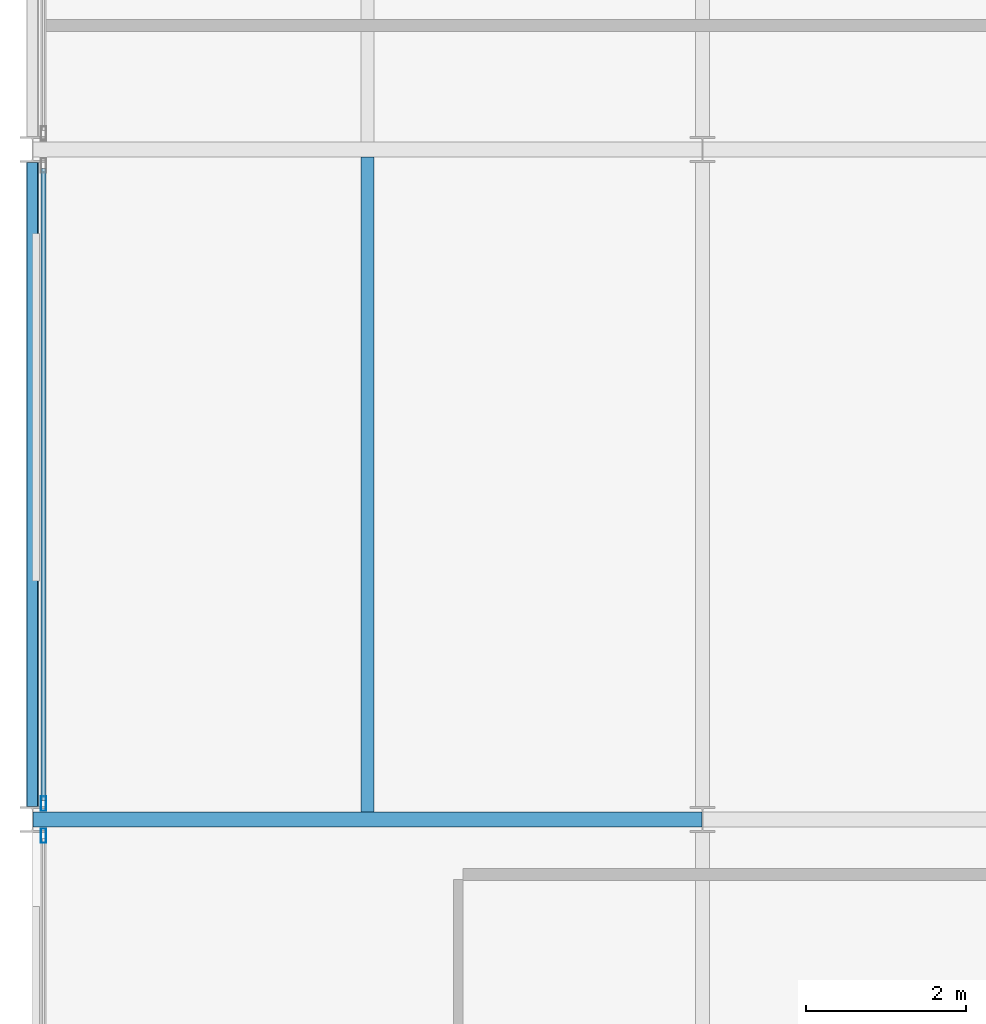
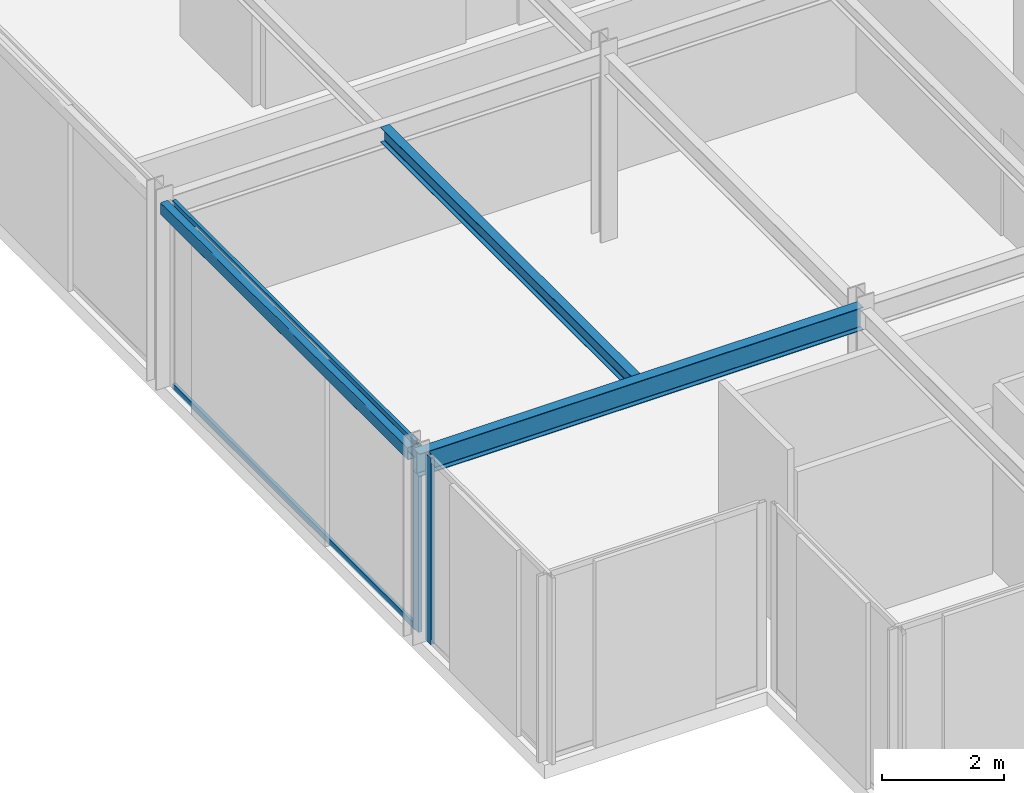
# One storey, part 5 of 26: 4 members, 3 beams, 2 elements without a shape of their own.
"""IFC4 building model written with IfcOpenShell, lengths in metres."""

from ifc_helpers import new_model, si_unit, direction, frame, origin, origin_2d, place, context, subcontext, project, spatial, hollow_rectangle, i_section, extrude, material, layer, layer_set, material_profile, profile_set, type_object, element, aggregate, save


model = new_model("IFC4")

# Units and contexts
model_context = context("Model", 3, precision=1e-05, world=origin(), true_north=direction((0.0, 1.0)))
body_context = subcontext(model_context, "Body", "Model", "MODEL_VIEW")
ifc_project = project(units=[si_unit("LENGTHUNIT", "METRE"), si_unit("AREAUNIT", "SQUARE_METRE"), si_unit("VOLUMEUNIT", "CUBIC_METRE"), si_unit("PLANEANGLEUNIT", "RADIAN"), si_unit("MASSUNIT", "GRAM", prefix="KILO")], contexts=[model_context])

# Site, building, storey
site_placement = place(None, origin())
site = spatial("IfcSite", under=ifc_project, at=site_placement, CompositionType="ELEMENT")
building_placement = place(site_placement, origin())
building = spatial("IfcBuilding", under=site, at=building_placement, Name="Nerrivon Quay Data Exchange", CompositionType="ELEMENT")
storey_placement = place(building_placement, frame((0.0, 0.0, 250.199951171875)))
storey = spatial("IfcBuildingStorey", under=building, at=storey_placement, Name="L59", CompositionType="ELEMENT", Elevation=250.199951171875)

# Beams
ifc_material_1 = material(Name="Steel Grade 350", Category="steel")
ifc_material_profile_1 = material_profile(ifc_material_1, i_section(OverallWidth=0.18994140625, OverallDepth=0.4541015625, WebThickness=0.008544921875, FlangeThickness=0.0126953125, FilletRadius=0.011474609375, at=origin_2d()), Name="460UB67.1")
ifc_profile_set_1 = profile_set([ifc_material_profile_1], Name="Steel Grade 350")
beam_type_1 = type_object("IfcBeamType", Name="BM-G6-460UB67", PredefinedType="BEAM", material=ifc_profile_set_1)
beam_1_placement = place(storey_placement, frame((0.0078125, 8.39990234375, 3.498046875), z_axis=(1.0, 0.0, 0.0), x_axis=(0.0, 1.0, 0.0)))
element("IfcBeam", 1, at=beam_1_placement, inside=storey, type_object=beam_type_1, Name="L59 EW Girder Y=8.4 (0.0..8.4)", PredefinedType="BEAM", context=body_context, shape_type="SweptSolid", body=[
    extrude(i_section(OverallWidth=0.18994140625, OverallDepth=0.4541015625, WebThickness=0.008544921875, FlangeThickness=0.0126953125, FilletRadius=0.011474609375, at=origin_2d()), origin(), (0.0, 0.0, 1.0), 8.38427734375),
])
ifc_material_profile_2 = material_profile(ifc_material_1, i_section(OverallWidth=0.1650390625, OverallDepth=0.303955078125, WebThickness=0.006103515625, FlangeThickness=0.01025390625, FilletRadius=0.011474609375, at=origin_2d()), Name="310UB40.4")
ifc_profile_set_2 = profile_set([ifc_material_profile_2], Name="Steel Grade 350")
beam_type_2 = type_object("IfcBeamType", Name="BM-J6-310UB40", PredefinedType="JOIST", material=ifc_profile_set_2)
beam_2_placement = place(storey_placement, frame((4.199951171875, 8.4951171875, 3.572998046875), z_axis=(0.0, 1.0, 0.0), x_axis=(-1.0, 0.0, 0.0)))
element("IfcBeam", 2, at=beam_2_placement, inside=storey, type_object=beam_type_2, Name="L59 Secondary Joist X=4.2 (8.4..16.8)", PredefinedType="JOIST", context=body_context, shape_type="SweptSolid", body=[
    extrude(i_section(OverallWidth=0.1650390625, OverallDepth=0.303955078125, WebThickness=0.006103515625, FlangeThickness=0.01025390625, FilletRadius=0.011474609375, at=origin_2d()), origin(), (0.0, 0.0, 1.0), 8.2099609375),
])
ifc_material_2 = material(Name="Steel Grade C350L0 (350 MPa)", Category="steel")
ifc_material_profile_3 = material_profile(ifc_material_2, hollow_rectangle(XDim=0.14990234375, YDim=0.25, WallThickness=0.009033203125, InnerFilletRadius=0.013427734375, OuterFilletRadius=0.0224609375, at=origin_2d()), Name="250x150x9.0RHS")
ifc_profile_set_3 = profile_set([ifc_material_profile_3], Name="Steel Grade C350L0 (350 MPa)")
beam_type_3 = type_object("IfcBeamType", Name="BM-SP4-250x150RHS", PredefinedType="SPANDREL", material=ifc_profile_set_3)
beam_3_placement = place(storey_placement, frame((0.0, 8.5634765625, 3.60009765625), z_axis=(0.0, 1.0, 0.0), x_axis=(-1.0, 0.0, 0.0)))
element("IfcBeam", 3, at=beam_3_placement, inside=storey, type_object=beam_type_3, Name="L59 NS Girder X=0.0 (8.4..16.8)", PredefinedType="SPANDREL", context=body_context, shape_type="SweptSolid", body=[
    extrude(hollow_rectangle(XDim=0.14990234375, YDim=0.25, WallThickness=0.009033203125, InnerFilletRadius=0.013427734375, OuterFilletRadius=0.0224609375, at=origin_2d()), origin(), (0.0, 0.0, 1.0), 8.072998046875),
])

# Curtain wall, member
ifc_material_3 = material(Name="Anodised aluminium 6063-T6", Category="aluminium")
ifc_layer = layer(ifc_material_3, 0.195068359375)
ifc_layer_set = layer_set([ifc_layer], Name="Anodised aluminium 6063-T6")
curtain_wall_type = type_object("IfcCurtainWallType", Name="CW-SYS-06", PredefinedType="NOTDEFINED", material=ifc_layer_set)
curtain_wall_1_placement = place(storey_placement, origin())
curtain_wall_1 = element("IfcCurtainWall", 4, at=curtain_wall_1_placement, inside=storey, type_object=curtain_wall_type, Name="L59 Unitised Curtain Wall 11", PredefinedType="NOTDEFINED")
ifc_material_profile_4 = material_profile(ifc_material_3, hollow_rectangle(XDim=0.06494140625, YDim=0.179931640625, WallThickness=0.00341796875, at=origin_2d()), Name="ALU-MULL-180x65")
ifc_profile_set_4 = profile_set([ifc_material_profile_4], Name="Anodised aluminium 6063-T6")
member_type_1 = type_object("IfcMemberType", Name="CWM-180x65", PredefinedType="MULLION", material=ifc_profile_set_4)
member_1_placement = place(storey_placement, frame((0.139892578125, 8.198974609375, 0.0), z_axis=(0.0, 0.0, 1.0), x_axis=(-1.0, 0.0, 0.0)))
member_1 = element("IfcMember", 5, at=member_1_placement, type_object=member_type_1, Name="CW06 mullion 2", PredefinedType="MULLION", context=body_context, shape_type="SweptSolid", body=[
    extrude(hollow_rectangle(XDim=0.06494140625, YDim=0.179931640625, WallThickness=0.00341796875, at=origin_2d()), origin(), (0.0, 0.0, 1.0), 3.72509765625),
])
aggregate(curtain_wall_1, [member_1])

# Curtain wall, members
curtain_wall_2_placement = place(storey_placement, origin())
curtain_wall_2 = element("IfcCurtainWall", 6, at=curtain_wall_2_placement, inside=storey, type_object=curtain_wall_type, Name="L59 Unitised Curtain Wall 12", PredefinedType="NOTDEFINED")
member_2_placement = place(storey_placement, frame((0.139892578125, 8.60107421875, 0.0), z_axis=(0.0, 0.0, 1.0), x_axis=(-1.0, 0.0, 0.0)))
member_2 = element("IfcMember", 7, at=member_2_placement, type_object=member_type_1, Name="CW06 mullion 1", PredefinedType="MULLION", context=body_context, shape_type="SweptSolid", body=[
    extrude(hollow_rectangle(XDim=0.06494140625, YDim=0.179931640625, WallThickness=0.00341796875, at=origin_2d()), origin(), (0.0, 0.0, 1.0), 3.72509765625),
])
ifc_material_profile_5 = material_profile(ifc_material_3, hollow_rectangle(XDim=0.06005859375, YDim=0.1201171875, WallThickness=0.003173828125, at=origin_2d()), Name="ALU-TRAN-120x60")
ifc_profile_set_5 = profile_set([ifc_material_profile_5], Name="Anodised aluminium 6063-T6")
member_type_2 = type_object("IfcMemberType", Name="CWT-120x60", PredefinedType="USERDEFINED", material=ifc_profile_set_5)
member_3_placement = place(storey_placement, frame((0.139892578125, 8.638427734375, 0.032470703125), z_axis=(0.0, 1.0, 0.0), x_axis=(-1.0, 0.0, 0.0)))
member_3 = element("IfcMember", 8, at=member_3_placement, type_object=member_type_2, Name="CW06 transom 1.1", ObjectType="TRANSOM", PredefinedType="USERDEFINED", context=body_context, shape_type="SweptSolid", body=[
    extrude(hollow_rectangle(XDim=0.06005859375, YDim=0.1201171875, WallThickness=0.003173828125, at=origin_2d()), origin(), (0.0, 0.0, 1.0), 7.923095703125),
])
member_4_placement = place(storey_placement, frame((0.139892578125, 8.638427734375, 3.692626953125), z_axis=(0.0, 1.0, 0.0), x_axis=(-1.0, 0.0, 0.0)))
member_4 = element("IfcMember", 9, at=member_4_placement, type_object=member_type_2, Name="CW06 transom 1.2", ObjectType="TRANSOM", PredefinedType="USERDEFINED", context=body_context, shape_type="SweptSolid", body=[
    extrude(hollow_rectangle(XDim=0.06005859375, YDim=0.1201171875, WallThickness=0.003173828125, at=origin_2d()), origin(), (0.0, 0.0, 1.0), 7.923095703125),
])
aggregate(curtain_wall_2, [member_2, member_3, member_4])

save(model, "model.ifc")
